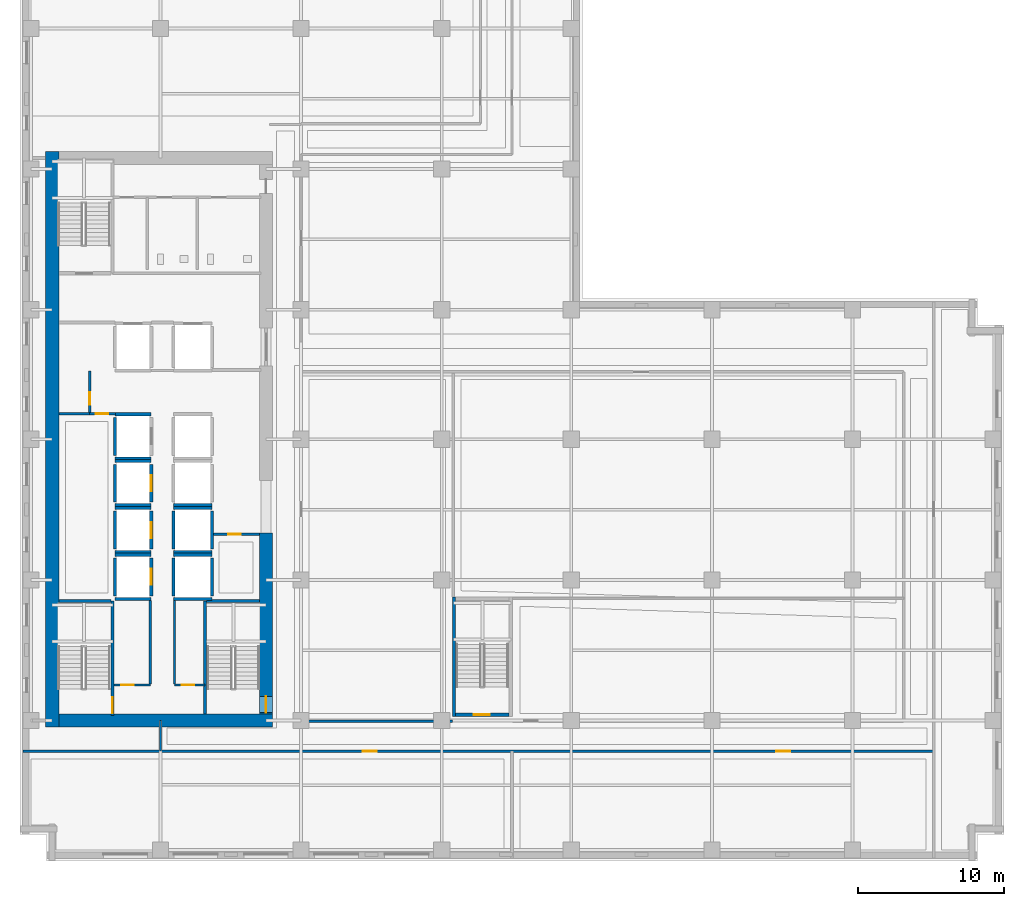
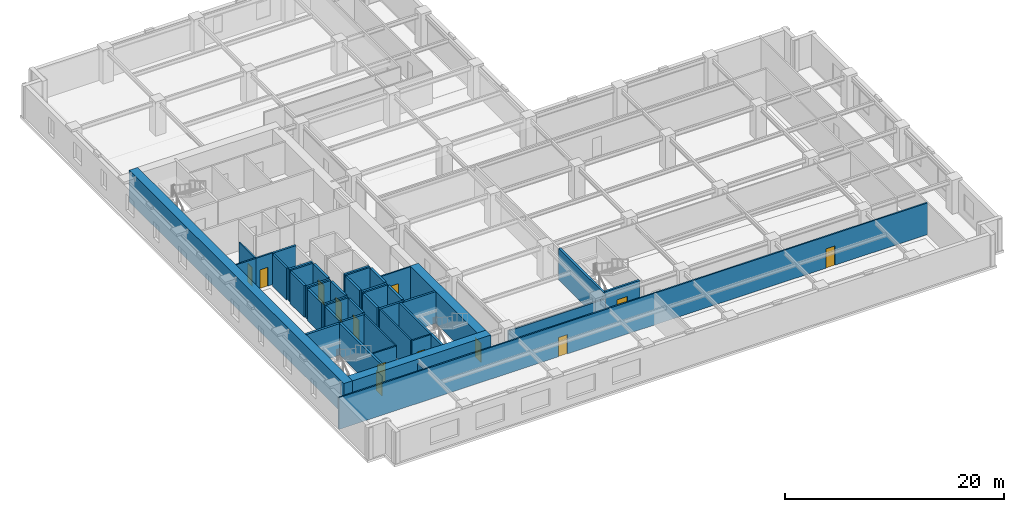
# One storey, part 4 of 13: 44 walls, 13 doors, 13 openings.
"""IFC4 building model written with IfcOpenShell, lengths in metres."""

from ifc_helpers import new_model, si_unit, direction, frame, frame_2d, origin, place, context, subcontext, project, spatial, rectangle, extrude, material, layer, layer_set, type_object, element, fill, save


model = new_model("IFC4")

# Units and contexts
model_context = context("Model", 3, precision=1e-05, world=origin(), true_north=direction((0.0, 1.0)))
body_context = subcontext(model_context, "Body", "Model", "MODEL_VIEW")
ifc_project = project(units=[si_unit("LENGTHUNIT", "METRE"), si_unit("AREAUNIT", "SQUARE_METRE"), si_unit("VOLUMEUNIT", "CUBIC_METRE"), si_unit("PLANEANGLEUNIT", "RADIAN"), si_unit("MASSUNIT", "GRAM", prefix="KILO")], contexts=[model_context])

# Site, building, storey
site_placement = place(None, origin())
site = spatial("IfcSite", under=ifc_project, at=site_placement, CompositionType="ELEMENT")
building_placement = place(site_placement, origin())
building = spatial("IfcBuilding", under=site, at=building_placement, Name="Norrvale University Quadrangle", CompositionType="ELEMENT")
storey_placement = place(building_placement, frame((0.0, 0.0, 85.0)))
storey = spatial("IfcBuildingStorey", under=building, at=storey_placement, Name="L21", CompositionType="ELEMENT", Elevation=85.0)

# Walls
ifc_material_1 = material(Name="Concrete C80/95", Category="concrete")
ifc_layer_1 = layer(ifc_material_1, 0.89990234375, Name="Concrete C80/95")
ifc_layer_set_1 = layer_set([ifc_layer_1], Name="Concrete C80/95")
wall_type_1 = type_object("IfcWallType", Name="Wall Core 900", PredefinedType="SHEAR", material=ifc_layer_set_1)
wall_1_placement = place(storey_placement, frame((2.64990234375, 9.60009765625, 0.0), z_axis=(0.0, 0.0, 1.0), x_axis=(1.0, 0.0, 0.0)))
element("IfcWall", 1, at=wall_1_placement, inside=storey, type_object=wall_type_1, Name="Tower Core Shear Wall L21-S", PredefinedType="SHEAR", context=body_context, shape_type="SweptSolid", body=[
    extrude(rectangle(XDim=14.60009765625, YDim=0.89990234375, at=frame_2d((7.300048828125, 0.0))), origin(), (0.0, 0.0, 1.0), 3.5400390625),
])
wall_2_placement = place(storey_placement, frame((2.199951171875, 9.14990234375, 0.0), z_axis=(0.0, 0.0, 1.0), x_axis=(0.0, 1.0, 0.0)))
element("IfcWall", 2, at=wall_2_placement, inside=storey, type_object=wall_type_1, Name="Tower Core Shear Wall L21-W", PredefinedType="SHEAR", context=body_context, shape_type="SweptSolid", body=[
    extrude(rectangle(XDim=39.300048828125, YDim=0.89990234375, at=frame_2d((19.64990234375, 0.0))), origin(), (0.0, 0.0, 1.0), 3.5400390625),
])

# Wall, opening, door
wall_3_placement = place(storey_placement, frame((16.800048828125, 10.050048828125, 0.0), z_axis=(0.0, 0.0, 1.0), x_axis=(0.0, 1.0, 0.0)))
wall_3 = element("IfcWall", 3, at=wall_3_placement, inside=storey, type_object=wall_type_1, Name="Tower Core Shear Wall L21-E1", PredefinedType="SHEAR", context=body_context, shape_type="SweptSolid", body=[
    extrude(rectangle(XDim=12.349853515625, YDim=0.89990234375, at=frame_2d((6.1748046875, 0.0))), origin(), (0.0, 0.0, 1.0), 3.5400390625),
])
opening_1_placement = place(wall_3_placement, frame((0.090087890625, 0.0, 0.0)))
opening_1 = element("IfcOpeningElement", 4, at=opening_1_placement, cuts=wall_3, Name="Opening D02", PredefinedType="OPENING", context=body_context, shape_type="SweptSolid", body=[
    extrude(rectangle(XDim=1.10009765625, YDim=2.199951171875, at=frame_2d((0.550048828125, 1.10009765625))), frame((0.0, 0.4619140625, 0.0), z_axis=(0.0, -1.0, 0.0), x_axis=(1.0, 0.0, 0.0)), (0.0, 0.0, 1.0), 0.923828125),
])
ifc_material_2 = material(Name="Hollow Steel 350W Fire Door", Category="steel")
door_type_1 = type_object("IfcDoorType", Name="Door Stair Exit 1100x2200", OperationType="NOTDEFINED", PredefinedType="DOOR", material=ifc_material_2)
door_1_placement = place(opening_1_placement, origin())
door_1 = element("IfcDoor", 5, at=door_1_placement, inside=storey, type_object=door_type_1, Name="Door Stair Exit 1100x2200 DR-L21-ST03", OperationType="SINGLE_SWING_LEFT", OverallHeight=2.199951171875, OverallWidth=1.10009765625, PredefinedType="DOOR", context=body_context, shape_type="SweptSolid", body=[
    extrude(rectangle(XDim=1.10009765625, YDim=2.199951171875, at=frame_2d((0.550048828125, 1.10009765625))), frame((0.0, 0.02490234375, 0.0), z_axis=(0.0, -1.0, 0.0), x_axis=(1.0, 0.0, 0.0)), (0.0, 0.0, 1.0), 0.050048828125),
])
fill(opening_1, door_1)

ifc_material_3 = material(Name="Fire-Rated Gypsum Stud Partition")
ifc_layer_2 = layer(ifc_material_3, 0.14990234375, Name="Fire-Rated Gypsum Stud Partition")
ifc_layer_set_2 = layer_set([ifc_layer_2], Name="Fire-Rated Gypsum Stud Partition")
wall_type_2 = type_object("IfcWallType", Name="Wall Gypsum Corridor 150", PredefinedType="PARTITIONING", material=ifc_layer_set_2)
wall_4_placement = place(storey_placement, frame((6.419921875, 12.02001953125, 0.0), z_axis=(0.0, 0.0, 1.0), x_axis=(1.0, 0.0, 0.0)))
wall_4 = element("IfcWall", 6, at=wall_4_placement, inside=storey, type_object=wall_type_2, Name="Interior Partition WL-L21-SC-NL", PredefinedType="PARTITIONING", context=body_context, shape_type="SweptSolid", body=[
    extrude(rectangle(XDim=2.47998046875, YDim=0.14990234375, at=frame_2d((1.239990234375, 0.0))), origin(), (0.0, 0.0, 1.0), 3.5400390625),
])
opening_2_placement = place(wall_4_placement, frame((0.5, 0.0, 0.0)))
opening_2 = element("IfcOpeningElement", 7, at=opening_2_placement, cuts=wall_4, Name="Opening D10", PredefinedType="OPENING", context=body_context, shape_type="SweptSolid", body=[
    extrude(rectangle(XDim=0.85009765625, YDim=2.10009765625, at=frame_2d((0.425048828125, 1.050048828125))), frame((0.0, 0.0869140625, 0.0), z_axis=(0.0, -1.0, 0.0), x_axis=(1.0, 0.0, 0.0)), (0.0, 0.0, 1.0), 0.173828125),
])
ifc_material_4 = material(Name="Hollow Steel 350W Riser Fire Door", Category="steel")
door_type_2 = type_object("IfcDoorType", Name="Door Riser 850x2100", OperationType="NOTDEFINED", PredefinedType="DOOR", material=ifc_material_4)
door_2_placement = place(opening_2_placement, origin())
door_2 = element("IfcDoor", 8, at=door_2_placement, inside=storey, type_object=door_type_2, Name="Door Riser 850x2100 DR-L21-ELEC", OperationType="SINGLE_SWING_LEFT", OverallHeight=2.10009765625, OverallWidth=0.85009765625, PredefinedType="DOOR", context=body_context, shape_type="SweptSolid", body=[
    extrude(rectangle(XDim=0.85009765625, YDim=2.10009765625, at=frame_2d((0.425048828125, 1.050048828125))), frame((0.0, 0.02490234375, 0.0), z_axis=(0.0, -1.0, 0.0), x_axis=(1.0, 0.0, 0.0)), (0.0, 0.0, 1.0), 0.050048828125),
])
fill(opening_2, door_2)

wall_5_placement = place(storey_placement, frame((10.550048828125, 12.02001953125, 0.0), z_axis=(0.0, 0.0, 1.0), x_axis=(1.0, 0.0, 0.0)))
wall_5 = element("IfcWall", 9, at=wall_5_placement, inside=storey, type_object=wall_type_2, Name="Interior Partition WL-L21-SC-NR", PredefinedType="PARTITIONING", context=body_context, shape_type="SweptSolid", body=[
    extrude(rectangle(XDim=2.079833984375, YDim=0.14990234375, at=frame_2d((1.0400390625, 0.0))), origin(), (0.0, 0.0, 1.0), 3.5400390625),
])
opening_3_placement = place(wall_5_placement, frame((0.5, 0.0, 0.0)))
opening_3 = element("IfcOpeningElement", 10, at=opening_3_placement, cuts=wall_5, Name="Opening D10", PredefinedType="OPENING", context=body_context, shape_type="SweptSolid", body=[
    extrude(rectangle(XDim=0.85009765625, YDim=2.10009765625, at=frame_2d((0.425048828125, 1.050048828125))), frame((0.0, 0.0869140625, 0.0), z_axis=(0.0, -1.0, 0.0), x_axis=(1.0, 0.0, 0.0)), (0.0, 0.0, 1.0), 0.173828125),
])
door_3_placement = place(opening_3_placement, origin())
door_3 = element("IfcDoor", 11, at=door_3_placement, inside=storey, type_object=door_type_2, Name="Door Riser 850x2100 DR-L21-IDF", OperationType="SINGLE_SWING_RIGHT", OverallHeight=2.10009765625, OverallWidth=0.85009765625, PredefinedType="DOOR", context=body_context, shape_type="SweptSolid", body=[
    extrude(rectangle(XDim=0.85009765625, YDim=2.10009765625, at=frame_2d((0.425048828125, 1.050048828125))), frame((0.0, 0.02490234375, 0.0), z_axis=(0.0, -1.0, 0.0), x_axis=(1.0, 0.0, 0.0)), (0.0, 0.0, 1.0), 0.050048828125),
])
fill(opening_3, door_3)

# Walls
for number, where, z_axis, x_axis, name in (
    (12, (8.89990234375, 12.094970703125, 0.0), (0.0, 0.0, 1.0), (0.0, 1.0, 0.0), "Interior Partition WL-L21-SC-WL"),
    (13, (10.550048828125, 12.094970703125, 0.0), (0.0, 0.0, 1.0), (0.0, 1.0, 0.0), "Interior Partition WL-L21-SC-WR"),
):
    element("IfcWall", number, at=place(storey_placement, frame(where, z_axis=z_axis, x_axis=x_axis)), inside=storey, type_object=wall_type_2, Name=name, PredefinedType="PARTITIONING", context=body_context, shape_type="SweptSolid", body=[
        extrude(rectangle(XDim=5.679931640625, YDim=0.14990234375, at=frame_2d((2.83984375, 0.0))), origin(), (0.0, 0.0, 1.0), 3.5400390625),
    ])

# Wall, opening, door
wall_6_placement = place(storey_placement, frame((13.22509765625, 22.320068359375, 0.0), z_axis=(0.0, 0.0, 1.0), x_axis=(1.0, 0.0, 0.0)))
wall_6 = element("IfcWall", 14, at=wall_6_placement, inside=storey, type_object=wall_type_2, Name="Interior Partition WL-L21-JAN-N", PredefinedType="PARTITIONING", context=body_context, shape_type="SweptSolid", body=[
    extrude(rectangle(XDim=3.119873046875, YDim=0.14990234375, at=frame_2d((1.56005859375, 0.0))), origin(), (0.0, 0.0, 1.0), 3.5400390625),
])
opening_4_placement = place(wall_6_placement, frame((1.0, 0.0, 0.0)))
opening_4 = element("IfcOpeningElement", 15, at=opening_4_placement, cuts=wall_6, Name="Opening D10", PredefinedType="OPENING", context=body_context, shape_type="SweptSolid", body=[
    extrude(rectangle(XDim=0.85009765625, YDim=2.10009765625, at=frame_2d((0.425048828125, 1.050048828125))), frame((0.0, 0.0869140625, 0.0), z_axis=(0.0, -1.0, 0.0), x_axis=(1.0, 0.0, 0.0)), (0.0, 0.0, 1.0), 0.173828125),
])
door_4_placement = place(opening_4_placement, origin())
door_4 = element("IfcDoor", 16, at=door_4_placement, inside=storey, type_object=door_type_2, Name="Door Riser 850x2100 DR-L21-JAN", OperationType="SINGLE_SWING_LEFT", OverallHeight=2.10009765625, OverallWidth=0.85009765625, PredefinedType="DOOR", context=body_context, shape_type="SweptSolid", body=[
    extrude(rectangle(XDim=0.85009765625, YDim=2.10009765625, at=frame_2d((0.425048828125, 1.050048828125))), frame((0.0, 0.02490234375, 0.0), z_axis=(0.0, -1.0, 0.0), x_axis=(1.0, 0.0, 0.0)), (0.0, 0.0, 1.0), 0.050048828125),
])
fill(opening_4, door_4)

wall_7_placement = place(storey_placement, frame((4.760009765625, 30.550048828125, 0.0), z_axis=(0.0, 0.0, 1.0), x_axis=(0.0, 1.0, 0.0)))
wall_7 = element("IfcWall", 17, at=wall_7_placement, inside=storey, type_object=wall_type_2, Name="Interior Partition WL-L21-WME-E", PredefinedType="PARTITIONING", context=body_context, shape_type="SweptSolid", body=[
    extrude(rectangle(XDim=2.929931640625, YDim=0.14990234375, at=frame_2d((1.46484375, 0.0))), origin(), (0.0, 0.0, 1.0), 3.5400390625),
])
opening_5_placement = place(wall_7_placement, frame((0.60009765625, 0.0, 0.0)))
opening_5 = element("IfcOpeningElement", 18, at=opening_5_placement, cuts=wall_7, Name="Opening D10", PredefinedType="OPENING", context=body_context, shape_type="SweptSolid", body=[
    extrude(rectangle(XDim=0.85009765625, YDim=2.10009765625, at=frame_2d((0.425048828125, 1.050048828125))), frame((0.0, 0.0869140625, 0.0), z_axis=(0.0, -1.0, 0.0), x_axis=(1.0, 0.0, 0.0)), (0.0, 0.0, 1.0), 0.173828125),
])
door_5_placement = place(opening_5_placement, origin())
door_5 = element("IfcDoor", 19, at=door_5_placement, inside=storey, type_object=door_type_2, Name="Door Riser 850x2100 DR-L21-WME", OperationType="SINGLE_SWING_LEFT", OverallHeight=2.10009765625, OverallWidth=0.85009765625, PredefinedType="DOOR", context=body_context, shape_type="SweptSolid", body=[
    extrude(rectangle(XDim=0.85009765625, YDim=2.10009765625, at=frame_2d((0.425048828125, 1.050048828125))), frame((0.0, 0.02490234375, 0.0), z_axis=(0.0, -1.0, 0.0), x_axis=(1.0, 0.0, 0.0)), (0.0, 0.0, 1.0), 0.050048828125),
])
fill(opening_5, door_5)

wall_8_placement = place(storey_placement, frame((4.760009765625, 30.550048828125, 0.0), z_axis=(0.0, 0.0, 1.0), x_axis=(1.0, 0.0, 0.0)))
wall_8 = element("IfcWall", 20, at=wall_8_placement, inside=storey, type_object=wall_type_2, Name="Interior Partition WL-L21-WST-N", PredefinedType="PARTITIONING", context=body_context, shape_type="SweptSolid", body=[
    extrude(rectangle(XDim=1.760009765625, YDim=0.14990234375, at=frame_2d((0.8798828125, 0.0))), origin(), (0.0, 0.0, 1.0), 3.5400390625),
])
opening_6_placement = place(wall_8_placement, frame((0.39990234375, 0.0, 0.0)))
opening_6 = element("IfcOpeningElement", 21, at=opening_6_placement, cuts=wall_8, Name="Opening D10", PredefinedType="OPENING", context=body_context, shape_type="SweptSolid", body=[
    extrude(rectangle(XDim=0.85009765625, YDim=2.10009765625, at=frame_2d((0.425048828125, 1.050048828125))), frame((0.0, 0.0869140625, 0.0), z_axis=(0.0, -1.0, 0.0), x_axis=(1.0, 0.0, 0.0)), (0.0, 0.0, 1.0), 0.173828125),
])
door_6_placement = place(opening_6_placement, origin())
door_6 = element("IfcDoor", 22, at=door_6_placement, inside=storey, type_object=door_type_2, Name="Door Riser 850x2100 DR-L21-WST", OperationType="SINGLE_SWING_RIGHT", OverallHeight=2.10009765625, OverallWidth=0.85009765625, PredefinedType="DOOR", context=body_context, shape_type="SweptSolid", body=[
    extrude(rectangle(XDim=0.85009765625, YDim=2.10009765625, at=frame_2d((0.425048828125, 1.050048828125))), frame((0.0, 0.02490234375, 0.0), z_axis=(0.0, -1.0, 0.0), x_axis=(1.0, 0.0, 0.0)), (0.0, 0.0, 1.0), 0.050048828125),
])
fill(opening_6, door_6)

# Walls
wall_9_placement = place(storey_placement, frame((2.64990234375, 30.550048828125, 0.0), z_axis=(0.0, 0.0, 1.0), x_axis=(1.0, 0.0, 0.0)))
element("IfcWall", 23, at=wall_9_placement, inside=storey, type_object=wall_type_2, Name="Interior Partition WL-L21-WST-N2", PredefinedType="PARTITIONING", context=body_context, shape_type="SweptSolid", body=[
    extrude(rectangle(XDim=2.110107421875, YDim=0.14990234375, at=frame_2d((1.05517578125, 0.0))), origin(), (0.0, 0.0, 1.0), 3.5400390625),
])
wall_10_placement = place(storey_placement, frame((9.60009765625, 7.5, 0.0), z_axis=(0.0, 0.0, 1.0), x_axis=(0.0, 1.0, 0.0)))
element("IfcWall", 24, at=wall_10_placement, inside=storey, type_object=wall_type_2, Name="Interior Partition WL-L21-CSW-END", PredefinedType="PARTITIONING", context=body_context, shape_type="SweptSolid", body=[
    extrude(rectangle(XDim=2.10009765625, YDim=0.14990234375, at=frame_2d((1.050048828125, 0.0))), origin(), (0.0, 0.0, 1.0), 3.071044921875),
])

# Wall, openings, doors
wall_11_placement = place(storey_placement, frame((0.219970703125, 7.5, 0.0), z_axis=(0.0, 0.0, 1.0), x_axis=(1.0, 0.0, 0.0)))
wall_11 = element("IfcWall", 25, at=wall_11_placement, inside=storey, type_object=wall_type_2, Name="Interior Partition WL-L21-SCW", PredefinedType="PARTITIONING", context=body_context, shape_type="SweptSolid", body=[
    extrude(rectangle(XDim=62.179931640625, YDim=0.14990234375, at=frame_2d((31.08984375, 0.0))), origin(), (0.0, 0.0, 1.0), 3.5400390625),
])
opening_7_placement = place(wall_11_placement, frame((23.179931640625, 0.0, 0.0)))
opening_7 = element("IfcOpeningElement", 26, at=opening_7_placement, cuts=wall_11, Name="Opening D07", PredefinedType="OPENING", context=body_context, shape_type="SweptSolid", body=[
    extrude(rectangle(XDim=0.949951171875, YDim=2.14990234375, at=frame_2d((0.47509765625, 1.074951171875))), frame((0.0, 0.0869140625, 0.0), z_axis=(0.0, -1.0, 0.0), x_axis=(1.0, 0.0, 0.0)), (0.0, 0.0, 1.0), 0.173828125),
])
opening_8_placement = place(wall_11_placement, frame((51.429931640625, 0.0, 0.0)))
opening_8 = element("IfcOpeningElement", 27, at=opening_8_placement, cuts=wall_11, Name="Opening D07", PredefinedType="OPENING", context=body_context, shape_type="SweptSolid", body=[
    extrude(rectangle(XDim=0.949951171875, YDim=2.14990234375, at=frame_2d((0.47509765625, 1.074951171875))), frame((0.0, 0.0869140625, 0.0), z_axis=(0.0, -1.0, 0.0), x_axis=(1.0, 0.0, 0.0)), (0.0, 0.0, 1.0), 0.173828125),
])
ifc_material_5 = material(Name="Solid-Core Maple Door", Category="wood")
door_type_3 = type_object("IfcDoorType", Name="Door Office 950x2150", OperationType="NOTDEFINED", PredefinedType="DOOR", material=ifc_material_5)
door_7_placement = place(opening_7_placement, origin())
door_7 = element("IfcDoor", 28, at=door_7_placement, inside=storey, type_object=door_type_3, Name="Door Office 950x2150 DR-L21-S01", OperationType="SINGLE_SWING_LEFT", OverallHeight=2.14990234375, OverallWidth=0.949951171875, PredefinedType="DOOR", context=body_context, shape_type="SweptSolid", body=[
    extrude(rectangle(XDim=0.949951171875, YDim=2.14990234375, at=frame_2d((0.47509765625, 1.074951171875))), frame((0.0, 0.02490234375, 0.0), z_axis=(0.0, -1.0, 0.0), x_axis=(1.0, 0.0, 0.0)), (0.0, 0.0, 1.0), 0.050048828125),
])
fill(opening_7, door_7)
door_8_placement = place(opening_8_placement, origin())
door_8 = element("IfcDoor", 29, at=door_8_placement, inside=storey, type_object=door_type_3, Name="Door Office 950x2150 DR-L21-S02", OperationType="SINGLE_SWING_RIGHT", OverallHeight=2.14990234375, OverallWidth=0.949951171875, PredefinedType="DOOR", context=body_context, shape_type="SweptSolid", body=[
    extrude(rectangle(XDim=0.949951171875, YDim=2.14990234375, at=frame_2d((0.47509765625, 1.074951171875))), frame((0.0, 0.02490234375, 0.0), z_axis=(0.0, -1.0, 0.0), x_axis=(1.0, 0.0, 0.0)), (0.0, 0.0, 1.0), 0.050048828125),
])
fill(opening_8, door_8)

# Wall
wall_12_placement = place(storey_placement, frame((19.280029296875, 9.550048828125, 0.0), z_axis=(0.0, 0.0, 1.0), x_axis=(1.0, 0.0, 0.0)))
element("IfcWall", 30, at=wall_12_placement, inside=storey, type_object=wall_type_2, Name="Interior Partition WL-L21-ISLS1", PredefinedType="PARTITIONING", context=body_context, shape_type="SweptSolid", body=[
    extrude(rectangle(XDim=10.244873046875, YDim=0.14990234375, at=frame_2d((5.12255859375, 0.0))), origin(), (0.0, 0.0, 1.0), 3.071044921875),
])

# Wall, opening, door
ifc_material_6 = material(Name="Concrete Blockwork 20 MPa Fire Shaft", Category="masonry")
ifc_layer_3 = layer(ifc_material_6, 0.219970703125, Name="Concrete Blockwork 20 MPa Fire Shaft")
ifc_layer_set_3 = layer_set([ifc_layer_3], Name="Concrete Blockwork 20 MPa Fire Shaft")
wall_type_3 = type_object("IfcWallType", Name="Wall Shaft 220", PredefinedType="SOLIDWALL", material=ifc_layer_set_3)
wall_13_placement = place(storey_placement, frame((6.31005859375, 9.949951171875, 0.0), z_axis=(0.0, 0.0, 1.0), x_axis=(0.0, 1.0, 0.0)))
wall_13 = element("IfcWall", 31, at=wall_13_placement, inside=storey, type_object=wall_type_3, Name="Stair ST-01 East Shaft Wall L21", PredefinedType="SOLIDWALL", context=body_context, shape_type="SweptSolid", body=[
    extrude(rectangle(XDim=7.81005859375, YDim=0.219970703125, at=frame_2d((3.905029296875, 0.0))), origin(), (0.0, 0.0, 1.0), 3.5400390625),
])
opening_9_placement = place(wall_13_placement, frame((0.139892578125, 0.0, 0.0)))
opening_9 = element("IfcOpeningElement", 32, at=opening_9_placement, cuts=wall_13, Name="Opening D02", PredefinedType="OPENING", context=body_context, shape_type="SweptSolid", body=[
    extrude(rectangle(XDim=1.10009765625, YDim=2.199951171875, at=frame_2d((0.550048828125, 1.10009765625))), frame((0.0, 0.1220703125, 0.0), z_axis=(0.0, -1.0, 0.0), x_axis=(1.0, 0.0, 0.0)), (0.0, 0.0, 1.0), 0.243896484375),
])
door_9_placement = place(opening_9_placement, origin())
door_9 = element("IfcDoor", 33, at=door_9_placement, inside=storey, type_object=door_type_1, Name="Door Stair Exit 1100x2200 DR-L21-ST01", OperationType="SINGLE_SWING_LEFT", OverallHeight=2.199951171875, OverallWidth=1.10009765625, PredefinedType="DOOR", context=body_context, shape_type="SweptSolid", body=[
    extrude(rectangle(XDim=1.10009765625, YDim=2.199951171875, at=frame_2d((0.550048828125, 1.10009765625))), frame((0.0, 0.02490234375, 0.0), z_axis=(0.0, -1.0, 0.0), x_axis=(1.0, 0.0, 0.0)), (0.0, 0.0, 1.0), 0.050048828125),
])
fill(opening_9, door_9)

# Walls
wall_14_placement = place(storey_placement, frame((2.64990234375, 17.760009765625, 0.0), z_axis=(0.0, 0.0, 1.0), x_axis=(1.0, 0.0, 0.0)))
element("IfcWall", 34, at=wall_14_placement, inside=storey, type_object=wall_type_3, Name="Stair ST-01 North Shaft Wall L21", PredefinedType="SOLIDWALL", context=body_context, shape_type="SweptSolid", body=[
    extrude(rectangle(XDim=3.550048828125, YDim=0.219970703125, at=frame_2d((1.77490234375, 0.0))), origin(), (0.0, 0.0, 1.0), 3.5400390625),
])
wall_15_placement = place(storey_placement, frame((12.639892578125, 10.050048828125, 0.0), z_axis=(0.0, 0.0, 1.0), x_axis=(0.0, 1.0, 0.0)))
element("IfcWall", 35, at=wall_15_placement, inside=storey, type_object=wall_type_3, Name="Stair ST-03 West Shaft Wall L21", PredefinedType="SOLIDWALL", context=body_context, shape_type="SweptSolid", body=[
    extrude(rectangle(XDim=7.7099609375, YDim=0.219970703125, at=frame_2d((3.85498046875, 0.0))), origin(), (0.0, 0.0, 1.0), 3.5400390625),
])
wall_16_placement = place(storey_placement, frame((12.75, 17.760009765625, 0.0), z_axis=(0.0, 0.0, 1.0), x_axis=(1.0, 0.0, 0.0)))
element("IfcWall", 36, at=wall_16_placement, inside=storey, type_object=wall_type_3, Name="Stair ST-03 North Shaft Wall L21", PredefinedType="SOLIDWALL", context=body_context, shape_type="SweptSolid", body=[
    extrude(rectangle(XDim=3.60009765625, YDim=0.219970703125, at=frame_2d((1.800048828125, 0.0))), origin(), (0.0, 0.0, 1.0), 3.5400390625),
])

# Wall, opening, door
wall_17_placement = place(storey_placement, frame((29.75, 9.989990234375, 0.0), z_axis=(0.0, 0.0, 1.0), x_axis=(1.0, 0.0, 0.0)))
wall_17 = element("IfcWall", 37, at=wall_17_placement, inside=storey, type_object=wall_type_3, Name="Stair ST-04 South Shaft Wall L21", PredefinedType="SOLIDWALL", context=body_context, shape_type="SweptSolid", body=[
    extrude(rectangle(XDim=3.64990234375, YDim=0.219970703125, at=frame_2d((1.824951171875, 0.0))), origin(), (0.0, 0.0, 1.0), 3.5400390625),
])
opening_10_placement = place(wall_17_placement, frame((1.239990234375, 0.0, 0.0)))
opening_10 = element("IfcOpeningElement", 38, at=opening_10_placement, cuts=wall_17, Name="Opening D02", PredefinedType="OPENING", context=body_context, shape_type="SweptSolid", body=[
    extrude(rectangle(XDim=1.10009765625, YDim=2.199951171875, at=frame_2d((0.550048828125, 1.10009765625))), frame((0.0, 0.1220703125, 0.0), z_axis=(0.0, -1.0, 0.0), x_axis=(1.0, 0.0, 0.0)), (0.0, 0.0, 1.0), 0.243896484375),
])
door_10_placement = place(opening_10_placement, origin())
door_10 = element("IfcDoor", 39, at=door_10_placement, inside=storey, type_object=door_type_1, Name="Door Stair Exit 1100x2200 DR-L21-ST04", OperationType="SINGLE_SWING_LEFT", OverallHeight=2.199951171875, OverallWidth=1.10009765625, PredefinedType="DOOR", context=body_context, shape_type="SweptSolid", body=[
    extrude(rectangle(XDim=1.10009765625, YDim=2.199951171875, at=frame_2d((0.550048828125, 1.10009765625))), frame((0.0, 0.02490234375, 0.0), z_axis=(0.0, -1.0, 0.0), x_axis=(1.0, 0.0, 0.0)), (0.0, 0.0, 1.0), 0.050048828125),
])
fill(opening_10, door_10)

# Walls
wall_18_placement = place(storey_placement, frame((29.639892578125, 9.8798828125, 0.0), z_axis=(0.0, 0.0, 1.0), x_axis=(0.0, 1.0, 0.0)))
element("IfcWall", 40, at=wall_18_placement, inside=storey, type_object=wall_type_3, Name="Stair ST-04 West Shaft Wall L21", PredefinedType="SOLIDWALL", context=body_context, shape_type="SweptSolid", body=[
    extrude(rectangle(XDim=8.14013671875, YDim=0.219970703125, at=frame_2d((4.070068359375, 0.0))), origin(), (0.0, 0.0, 1.0), 3.5400390625),
])
wall_19_placement = place(storey_placement, frame((6.489990234375, 18.110107421875, 0.0), z_axis=(0.0, 0.0, 1.0), x_axis=(0.0, 1.0, 0.0)))
element("IfcWall", 41, at=wall_19_placement, inside=storey, type_object=wall_type_3, Name="Hoistway PL-01 West Wall L21", PredefinedType="SOLIDWALL", context=body_context, shape_type="SweptSolid", body=[
    extrude(rectangle(XDim=2.579833984375, YDim=0.219970703125, at=frame_2d((1.2900390625, 0.0))), origin(), (0.0, 0.0, 1.0), 3.5400390625),
])

# Wall, opening, door
wall_20_placement = place(storey_placement, frame((8.9599609375, 18.110107421875, 0.0), z_axis=(0.0, 0.0, 1.0), x_axis=(0.0, 1.0, 0.0)))
wall_20 = element("IfcWall", 42, at=wall_20_placement, inside=storey, type_object=wall_type_3, Name="Hoistway PL-01 East Wall L21", PredefinedType="SOLIDWALL", context=body_context, shape_type="SweptSolid", body=[
    extrude(rectangle(XDim=2.579833984375, YDim=0.219970703125, at=frame_2d((1.2900390625, 0.0))), origin(), (0.0, 0.0, 1.0), 3.5400390625),
])
opening_11_placement = place(wall_20_placement, frame((0.739990234375, 0.0, 0.0)))
opening_11 = element("IfcOpeningElement", 43, at=opening_11_placement, cuts=wall_20, Name="Opening LD1", PredefinedType="OPENING", context=body_context, shape_type="SweptSolid", body=[
    extrude(rectangle(XDim=1.10009765625, YDim=2.199951171875, at=frame_2d((0.550048828125, 1.10009765625))), frame((0.0, 0.1220703125, 0.0), z_axis=(0.0, -1.0, 0.0), x_axis=(1.0, 0.0, 0.0)), (0.0, 0.0, 1.0), 0.243896484375),
])
ifc_material_7 = material(Name="Stainless Steel 316L Lift Landing Door", Category="steel")
door_type_4 = type_object("IfcDoorType", Name="Door Lift Landing 1100x2200", OperationType="DOUBLE_DOOR_SLIDING", PredefinedType="DOOR", material=ifc_material_7)
door_11_placement = place(opening_11_placement, origin())
door_11 = element("IfcDoor", 44, at=door_11_placement, inside=storey, type_object=door_type_4, Name="Elevator Landing Door DR-L21-PL-01", OperationType="DOUBLE_DOOR_SLIDING", OverallHeight=2.199951171875, OverallWidth=1.10009765625, PredefinedType="DOOR", context=body_context, shape_type="SweptSolid", body=[
    extrude(rectangle(XDim=1.10009765625, YDim=2.199951171875, at=frame_2d((0.550048828125, 1.10009765625))), frame((0.0, 0.02490234375, 0.0), z_axis=(0.0, -1.0, 0.0), x_axis=(1.0, 0.0, 0.0)), (0.0, 0.0, 1.0), 0.050048828125),
])
fill(opening_11, door_11)

# Walls
for number, where, z_axis, x_axis, name in (
    (45, (6.489990234375, 17.889892578125, 0.0), (0.0, 0.0, 1.0), (1.0, 0.0, 0.0), "Hoistway PL-01 South Wall L21"),
    (46, (6.489990234375, 20.909912109375, 0.0), (0.0, 0.0, 1.0), (1.0, 0.0, 0.0), "Hoistway PL-01 North Wall L21"),
):
    element("IfcWall", number, at=place(storey_placement, frame(where, z_axis=z_axis, x_axis=x_axis)), inside=storey, type_object=wall_type_3, Name=name, PredefinedType="SOLIDWALL", context=body_context, shape_type="SweptSolid", body=[
        extrude(rectangle(XDim=2.469970703125, YDim=0.219970703125, at=frame_2d((1.23486328125, 0.0))), origin(), (0.0, 0.0, 1.0), 3.5400390625),
    ])
wall_21_placement = place(storey_placement, frame((6.489990234375, 21.31005859375, 0.0), z_axis=(0.0, 0.0, 1.0), x_axis=(0.0, 1.0, 0.0)))
element("IfcWall", 47, at=wall_21_placement, inside=storey, type_object=wall_type_3, Name="Hoistway PL-02 West Wall L21", PredefinedType="SOLIDWALL", context=body_context, shape_type="SweptSolid", body=[
    extrude(rectangle(XDim=2.579833984375, YDim=0.219970703125, at=frame_2d((1.2900390625, 0.0))), origin(), (0.0, 0.0, 1.0), 3.5400390625),
])

# Wall, opening, door
wall_22_placement = place(storey_placement, frame((8.9599609375, 21.31005859375, 0.0), z_axis=(0.0, 0.0, 1.0), x_axis=(0.0, 1.0, 0.0)))
wall_22 = element("IfcWall", 48, at=wall_22_placement, inside=storey, type_object=wall_type_3, Name="Hoistway PL-02 East Wall L21", PredefinedType="SOLIDWALL", context=body_context, shape_type="SweptSolid", body=[
    extrude(rectangle(XDim=2.579833984375, YDim=0.219970703125, at=frame_2d((1.2900390625, 0.0))), origin(), (0.0, 0.0, 1.0), 3.5400390625),
])
opening_12_placement = place(wall_22_placement, frame((0.739990234375, 0.0, 0.0)))
opening_12 = element("IfcOpeningElement", 49, at=opening_12_placement, cuts=wall_22, Name="Opening LD1", PredefinedType="OPENING", context=body_context, shape_type="SweptSolid", body=[
    extrude(rectangle(XDim=1.10009765625, YDim=2.199951171875, at=frame_2d((0.550048828125, 1.10009765625))), frame((0.0, 0.1220703125, 0.0), z_axis=(0.0, -1.0, 0.0), x_axis=(1.0, 0.0, 0.0)), (0.0, 0.0, 1.0), 0.243896484375),
])
door_12_placement = place(opening_12_placement, origin())
door_12 = element("IfcDoor", 50, at=door_12_placement, inside=storey, type_object=door_type_4, Name="Elevator Landing Door DR-L21-PL-02", OperationType="DOUBLE_DOOR_SLIDING", OverallHeight=2.199951171875, OverallWidth=1.10009765625, PredefinedType="DOOR", context=body_context, shape_type="SweptSolid", body=[
    extrude(rectangle(XDim=1.10009765625, YDim=2.199951171875, at=frame_2d((0.550048828125, 1.10009765625))), frame((0.0, 0.02490234375, 0.0), z_axis=(0.0, -1.0, 0.0), x_axis=(1.0, 0.0, 0.0)), (0.0, 0.0, 1.0), 0.050048828125),
])
fill(opening_12, door_12)

# Walls
for number, where, z_axis, x_axis, name in (
    (51, (6.489990234375, 21.090087890625, 0.0), (0.0, 0.0, 1.0), (1.0, 0.0, 0.0), "Hoistway PL-02 South Wall L21"),
    (52, (6.489990234375, 24.110107421875, 0.0), (0.0, 0.0, 1.0), (1.0, 0.0, 0.0), "Hoistway PL-02 North Wall L21"),
):
    element("IfcWall", number, at=place(storey_placement, frame(where, z_axis=z_axis, x_axis=x_axis)), inside=storey, type_object=wall_type_3, Name=name, PredefinedType="SOLIDWALL", context=body_context, shape_type="SweptSolid", body=[
        extrude(rectangle(XDim=2.469970703125, YDim=0.219970703125, at=frame_2d((1.23486328125, 0.0))), origin(), (0.0, 0.0, 1.0), 3.5400390625),
    ])
wall_23_placement = place(storey_placement, frame((6.489990234375, 24.510009765625, 0.0), z_axis=(0.0, 0.0, 1.0), x_axis=(0.0, 1.0, 0.0)))
element("IfcWall", 53, at=wall_23_placement, inside=storey, type_object=wall_type_3, Name="Hoistway PL-03 West Wall L21", PredefinedType="SOLIDWALL", context=body_context, shape_type="SweptSolid", body=[
    extrude(rectangle(XDim=2.580078125, YDim=0.219970703125, at=frame_2d((1.2900390625, 0.0))), origin(), (0.0, 0.0, 1.0), 3.5400390625),
])

# Wall, opening, door
wall_24_placement = place(storey_placement, frame((8.9599609375, 24.510009765625, 0.0), z_axis=(0.0, 0.0, 1.0), x_axis=(0.0, 1.0, 0.0)))
wall_24 = element("IfcWall", 54, at=wall_24_placement, inside=storey, type_object=wall_type_3, Name="Hoistway PL-03 East Wall L21", PredefinedType="SOLIDWALL", context=body_context, shape_type="SweptSolid", body=[
    extrude(rectangle(XDim=2.580078125, YDim=0.219970703125, at=frame_2d((1.2900390625, 0.0))), origin(), (0.0, 0.0, 1.0), 3.5400390625),
])
opening_13_placement = place(wall_24_placement, frame((0.739990234375, 0.0, 0.0)))
opening_13 = element("IfcOpeningElement", 55, at=opening_13_placement, cuts=wall_24, Name="Opening LD1", PredefinedType="OPENING", context=body_context, shape_type="SweptSolid", body=[
    extrude(rectangle(XDim=1.10009765625, YDim=2.199951171875, at=frame_2d((0.550048828125, 1.10009765625))), frame((0.0, 0.1220703125, 0.0), z_axis=(0.0, -1.0, 0.0), x_axis=(1.0, 0.0, 0.0)), (0.0, 0.0, 1.0), 0.243896484375),
])
door_13_placement = place(opening_13_placement, origin())
door_13 = element("IfcDoor", 56, at=door_13_placement, inside=storey, type_object=door_type_4, Name="Elevator Landing Door DR-L21-PL-03", OperationType="DOUBLE_DOOR_SLIDING", OverallHeight=2.199951171875, OverallWidth=1.10009765625, PredefinedType="DOOR", context=body_context, shape_type="SweptSolid", body=[
    extrude(rectangle(XDim=1.10009765625, YDim=2.199951171875, at=frame_2d((0.550048828125, 1.10009765625))), frame((0.0, 0.02490234375, 0.0), z_axis=(0.0, -1.0, 0.0), x_axis=(1.0, 0.0, 0.0)), (0.0, 0.0, 1.0), 0.050048828125),
])
fill(opening_13, door_13)

# Walls
for number, where, z_axis, x_axis, name in (
    (57, (6.489990234375, 24.2900390625, 0.0), (0.0, 0.0, 1.0), (1.0, 0.0, 0.0), "Hoistway PL-03 South Wall L21"),
    (58, (6.489990234375, 27.31005859375, 0.0), (0.0, 0.0, 1.0), (1.0, 0.0, 0.0), "Hoistway PL-03 North Wall L21"),
):
    element("IfcWall", number, at=place(storey_placement, frame(where, z_axis=z_axis, x_axis=x_axis)), inside=storey, type_object=wall_type_3, Name=name, PredefinedType="SOLIDWALL", context=body_context, shape_type="SweptSolid", body=[
        extrude(rectangle(XDim=2.469970703125, YDim=0.219970703125, at=frame_2d((1.23486328125, 0.0))), origin(), (0.0, 0.0, 1.0), 3.5400390625),
    ])
wall_25_placement = place(storey_placement, frame((6.489990234375, 27.7099609375, 0.0), z_axis=(0.0, 0.0, 1.0), x_axis=(0.0, 1.0, 0.0)))
element("IfcWall", 59, at=wall_25_placement, inside=storey, type_object=wall_type_3, Name="Hoistway PL-04 West Wall L21", PredefinedType="SOLIDWALL", context=body_context, shape_type="SweptSolid", body=[
    extrude(rectangle(XDim=2.580078125, YDim=0.219970703125, at=frame_2d((1.2900390625, 0.0))), origin(), (0.0, 0.0, 1.0), 3.5400390625),
])
for number, where, z_axis, x_axis, name in (
    (60, (6.489990234375, 27.489990234375, 0.0), (0.0, 0.0, 1.0), (1.0, 0.0, 0.0), "Hoistway PL-04 South Wall L21"),
    (61, (6.489990234375, 30.510009765625, 0.0), (0.0, 0.0, 1.0), (1.0, 0.0, 0.0), "Hoistway PL-04 North Wall L21"),
):
    element("IfcWall", number, at=place(storey_placement, frame(where, z_axis=z_axis, x_axis=x_axis)), inside=storey, type_object=wall_type_3, Name=name, PredefinedType="SOLIDWALL", context=body_context, shape_type="SweptSolid", body=[
        extrude(rectangle(XDim=2.469970703125, YDim=0.219970703125, at=frame_2d((1.23486328125, 0.0))), origin(), (0.0, 0.0, 1.0), 3.5400390625),
    ])
for number, where, z_axis, x_axis, name in (
    (62, (10.489990234375, 18.110107421875, 0.0), (0.0, 0.0, 1.0), (0.0, 1.0, 0.0), "Hoistway PL-05 West Wall L21"),
    (63, (13.110107421875, 18.110107421875, 0.0), (0.0, 0.0, 1.0), (0.0, 1.0, 0.0), "Hoistway PL-05 East Wall L21"),
):
    element("IfcWall", number, at=place(storey_placement, frame(where, z_axis=z_axis, x_axis=x_axis)), inside=storey, type_object=wall_type_3, Name=name, PredefinedType="SOLIDWALL", context=body_context, shape_type="SweptSolid", body=[
        extrude(rectangle(XDim=2.579833984375, YDim=0.219970703125, at=frame_2d((1.2900390625, 0.0))), origin(), (0.0, 0.0, 1.0), 3.5400390625),
    ])
for number, where, z_axis, x_axis, name in (
    (64, (10.489990234375, 17.889892578125, 0.0), (0.0, 0.0, 1.0), (1.0, 0.0, 0.0), "Hoistway PL-05 South Wall L21"),
    (65, (10.489990234375, 20.909912109375, 0.0), (0.0, 0.0, 1.0), (1.0, 0.0, 0.0), "Hoistway PL-05 North Wall L21"),
):
    element("IfcWall", number, at=place(storey_placement, frame(where, z_axis=z_axis, x_axis=x_axis)), inside=storey, type_object=wall_type_3, Name=name, PredefinedType="SOLIDWALL", context=body_context, shape_type="SweptSolid", body=[
        extrude(rectangle(XDim=2.6201171875, YDim=0.219970703125, at=frame_2d((1.31005859375, 0.0))), origin(), (0.0, 0.0, 1.0), 3.5400390625),
    ])
for number, where, z_axis, x_axis, name in (
    (66, (10.489990234375, 21.31005859375, 0.0), (0.0, 0.0, 1.0), (0.0, 1.0, 0.0), "Hoistway PL-06 West Wall L21"),
    (67, (13.110107421875, 21.31005859375, 0.0), (0.0, 0.0, 1.0), (0.0, 1.0, 0.0), "Hoistway PL-06 East Wall L21"),
):
    element("IfcWall", number, at=place(storey_placement, frame(where, z_axis=z_axis, x_axis=x_axis)), inside=storey, type_object=wall_type_3, Name=name, PredefinedType="SOLIDWALL", context=body_context, shape_type="SweptSolid", body=[
        extrude(rectangle(XDim=2.579833984375, YDim=0.219970703125, at=frame_2d((1.2900390625, 0.0))), origin(), (0.0, 0.0, 1.0), 3.5400390625),
    ])
for number, where, z_axis, x_axis, name in (
    (68, (10.489990234375, 21.090087890625, 0.0), (0.0, 0.0, 1.0), (1.0, 0.0, 0.0), "Hoistway PL-06 South Wall L21"),
    (69, (10.489990234375, 24.110107421875, 0.0), (0.0, 0.0, 1.0), (1.0, 0.0, 0.0), "Hoistway PL-06 North Wall L21"),
    (70, (10.489990234375, 24.2900390625, 0.0), (0.0, 0.0, 1.0), (1.0, 0.0, 0.0), "Hoistway PL-07 South Wall L21"),
):
    element("IfcWall", number, at=place(storey_placement, frame(where, z_axis=z_axis, x_axis=x_axis)), inside=storey, type_object=wall_type_3, Name=name, PredefinedType="SOLIDWALL", context=body_context, shape_type="SweptSolid", body=[
        extrude(rectangle(XDim=2.6201171875, YDim=0.219970703125, at=frame_2d((1.31005859375, 0.0))), origin(), (0.0, 0.0, 1.0), 3.5400390625),
    ])

save(model, "model.ifc")
